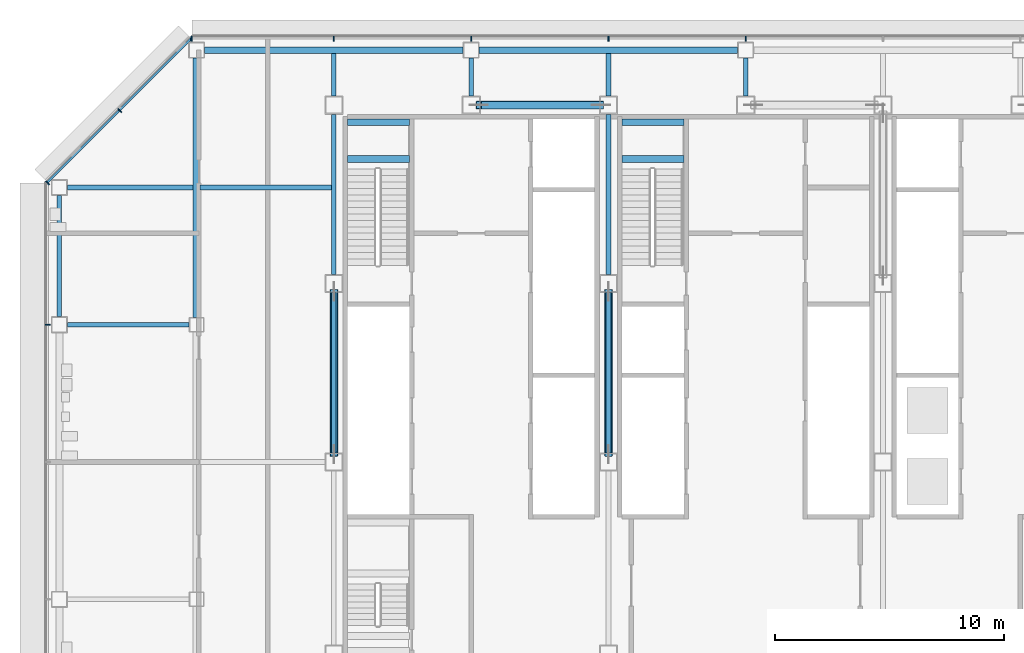
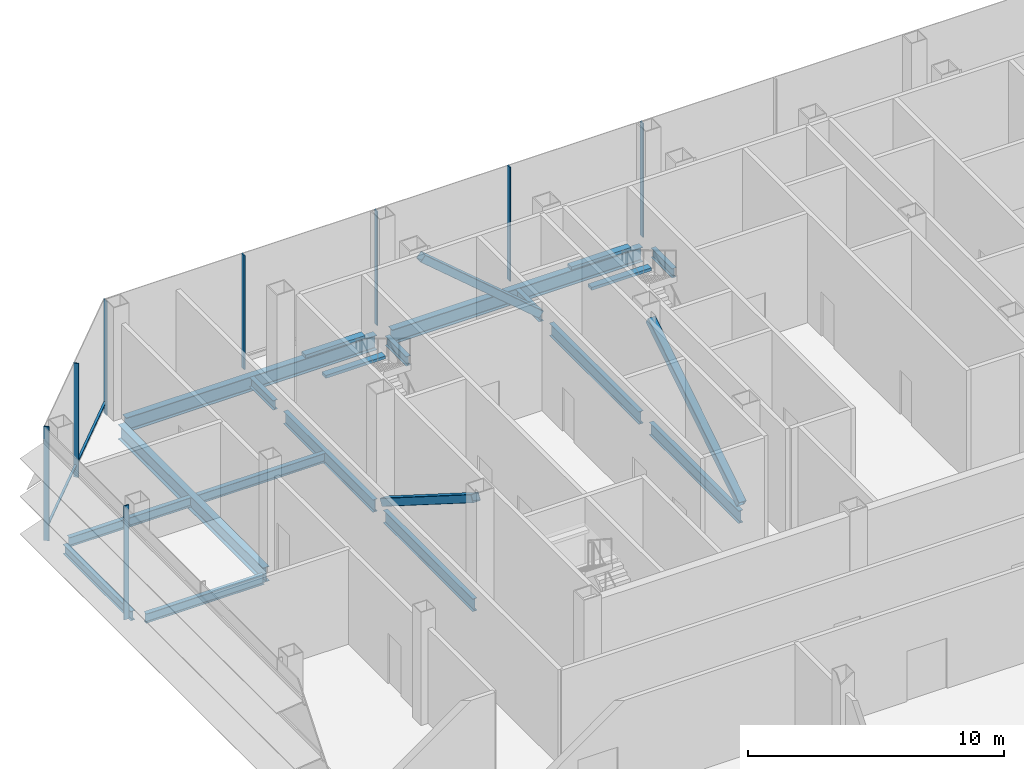
# One storey, part 9 of 24: 19 beams, 12 members, 3 elements without a shape of their own.
"""IFC4 building model written with IfcOpenShell, lengths in metres."""

from ifc_helpers import new_model, si_unit, direction, frame, origin, origin_2d, place, context, subcontext, project, spatial, rectangle, hollow_rectangle, i_section, extrude, material, material_profile, profile_set, type_object, element, aggregate, save


model = new_model("IFC4")

# Units and contexts
model_context = context("Model", 3, precision=1e-05, world=origin(), true_north=direction((0.0, 1.0)))
body_context = subcontext(model_context, "Body", "Model", "MODEL_VIEW")
ifc_project = project(units=[si_unit("LENGTHUNIT", "METRE"), si_unit("AREAUNIT", "SQUARE_METRE"), si_unit("VOLUMEUNIT", "CUBIC_METRE"), si_unit("PLANEANGLEUNIT", "RADIAN"), si_unit("MASSUNIT", "GRAM", prefix="KILO")], contexts=[model_context])

# Site, building, storey
site_placement = place(None, origin())
site = spatial("IfcSite", under=ifc_project, at=site_placement, CompositionType="ELEMENT")
building_placement = place(site_placement, origin())
building = spatial("IfcBuilding", under=site, at=building_placement, Name="Sorahane Residences", CompositionType="ELEMENT")
storey_placement = place(building_placement, frame((0.0, 0.0, 161.800048828125)))
storey = spatial("IfcBuildingStorey", under=building, at=storey_placement, Name="L37", CompositionType="ELEMENT", Elevation=161.800048828125)

# Members
ifc_material_1 = material(Name="Steel Q355B", Category="steel")
ifc_material_profile_1 = material_profile(ifc_material_1, hollow_rectangle(XDim=0.35009765625, YDim=0.35009765625, WallThickness=0.01806640625, InnerFilletRadius=0.009033203125, OuterFilletRadius=0.027099609375, at=origin_2d()), Name="RHS 350x350x18")
ifc_profile_set_1 = profile_set([ifc_material_profile_1], Name="Steel Q355B")
member_type_1 = type_object("IfcMemberType", Name="Core brace RHS 350x350x18 Q355B", PredefinedType="BRACE", material=ifc_profile_set_1)
member_1_placement = place(storey_placement, frame((17.66796875, 45.60009765625, 0.1171875), z_axis=(-0.761932436496, 0.0, 0.647656515612), x_axis=(0.0, -1.0, 0.0)))
element("IfcMember", 1, at=member_1_placement, inside=storey, type_object=member_type_1, Name="Core brace L37 y45.6-2", PredefinedType="BRACE", context=body_context, shape_type="SweptSolid", body=[
    extrude(hollow_rectangle(XDim=0.35009765625, YDim=0.35009765625, WallThickness=0.01806640625, InnerFilletRadius=0.009033203125, OuterFilletRadius=0.027099609375, at=origin_2d()), origin(), (0.0, 0.0, 1.0), 7.003173828125),
])
for number, where, z_axis, x_axis, name in (
    (2, (6.0, 37.4560546875, 0.1396484375), (0.0, -0.845548213739, 0.533899071213), (1.0, 0.0, 0.0), "Core brace L37 x6-2"),
    (3, (18.0, 30.343994140625, 0.1396484375), (0.0, 0.845548213739, 0.533899071213), (-1.0, 0.0, 0.0), "Core brace L37 x18-1"),
):
    element("IfcMember", number, at=place(storey_placement, frame(where, z_axis=z_axis, x_axis=x_axis)), inside=storey, type_object=member_type_1, Name=name, PredefinedType="BRACE", context=body_context, shape_type="SweptSolid", body=[
        extrude(hollow_rectangle(XDim=0.35009765625, YDim=0.35009765625, WallThickness=0.01806640625, InnerFilletRadius=0.009033203125, OuterFilletRadius=0.027099609375, at=origin_2d()), origin(), (0.0, 0.0, 1.0), 8.4111328125),
    ])

# Curtain wall, members
ifc_material_2 = material(Name="Dark low-e glass and black anodised aluminium", Category="aluminium")
curtain_wall_type = type_object("IfcCurtainWallType", Name="Curtain wall CW-4 Sky floor frameless wall", PredefinedType="NOTDEFINED", material=ifc_material_2)
curtain_wall_1_placement = place(storey_placement, origin())
curtain_wall_1 = element("IfcCurtainWall", 4, at=curtain_wall_1_placement, inside=storey, type_object=curtain_wall_type, Name="CW-4 curtain wall L37 N1", PredefinedType="NOTDEFINED")
ifc_material_3 = material(Name="Black anodised aluminium", Category="aluminium")
ifc_material_profile_2 = material_profile(ifc_material_3, rectangle(XDim=0.219970703125, YDim=0.050048828125, at=origin_2d()), Name="Curtain wall mullion CW-4 black anodised aluminium 50x220")
ifc_profile_set_2 = profile_set([ifc_material_profile_2], Name="Black anodised aluminium")
member_type_2 = type_object("IfcMemberType", Name="Curtain wall mullion CW-4 black anodised aluminium 50x220", PredefinedType="MULLION", material=ifc_profile_set_2)
member_2_placement = place(storey_placement, frame((24.0, 48.510009765625, -0.219970703125), z_axis=(0.0, 0.0, 1.0), x_axis=(0.0, 1.0, 0.0)))
member_2 = element("IfcMember", 5, at=member_2_placement, type_object=member_type_2, Name="CW-4 mullion L37 N1.6", PredefinedType="MULLION", context=body_context, shape_type="SweptSolid", body=[
    extrude(rectangle(XDim=0.219970703125, YDim=0.050048828125, at=origin_2d()), origin(), (0.0, 0.0, 1.0), 5.43994140625),
])
member_3_placement = place(storey_placement, frame((18.0, 48.510009765625, -0.219970703125), z_axis=(0.0, 0.0, 1.0), x_axis=(0.0, 1.0, 0.0)))
member_3 = element("IfcMember", 6, at=member_3_placement, type_object=member_type_2, Name="CW-4 mullion L37 N1.7", PredefinedType="MULLION", context=body_context, shape_type="SweptSolid", body=[
    extrude(rectangle(XDim=0.219970703125, YDim=0.050048828125, at=origin_2d()), origin(), (0.0, 0.0, 1.0), 5.43994140625),
])
member_4_placement = place(storey_placement, frame((12.0, 48.510009765625, -0.219970703125), z_axis=(0.0, 0.0, 1.0), x_axis=(0.0, 1.0, 0.0)))
member_4 = element("IfcMember", 7, at=member_4_placement, type_object=member_type_2, Name="CW-4 mullion L37 N1.8", PredefinedType="MULLION", context=body_context, shape_type="SweptSolid", body=[
    extrude(rectangle(XDim=0.219970703125, YDim=0.050048828125, at=origin_2d()), origin(), (0.0, 0.0, 1.0), 5.43994140625),
])
member_5_placement = place(storey_placement, frame((6.0, 48.510009765625, -0.219970703125), z_axis=(0.0, 0.0, 1.0), x_axis=(0.0, 1.0, 0.0)))
member_5 = element("IfcMember", 8, at=member_5_placement, type_object=member_type_2, Name="CW-4 mullion L37 N1.9", PredefinedType="MULLION", context=body_context, shape_type="SweptSolid", body=[
    extrude(rectangle(XDim=0.219970703125, YDim=0.050048828125, at=origin_2d()), origin(), (0.0, 0.0, 1.0), 5.43994140625),
])
member_6_placement = place(storey_placement, frame((-0.2236328125, 48.510009765625, -0.219970703125), z_axis=(0.0, 0.0, 1.0), x_axis=(0.0, 1.0, 0.0)))
member_6 = element("IfcMember", 9, at=member_6_placement, type_object=member_type_2, Name="CW-4 mullion L37 N1.10", PredefinedType="MULLION", context=body_context, shape_type="SweptSolid", body=[
    extrude(rectangle(XDim=0.219970703125, YDim=0.050048828125, at=origin_2d()), origin(), (0.0, 0.0, 1.0), 5.43994140625),
])
aggregate(curtain_wall_1, [member_2, member_3, member_4, member_5, member_6])

curtain_wall_2_placement = place(storey_placement, origin())
curtain_wall_2 = element("IfcCurtainWall", 10, at=curtain_wall_2_placement, inside=storey, type_object=curtain_wall_type, Name="CW-4 curtain wall L37 NW1", PredefinedType="NOTDEFINED")
member_7_placement = place(storey_placement, frame((-3.360595703125, 45.360595703125, -0.219970703125), z_axis=(0.0, 0.0, 1.0), x_axis=(-0.707106781187, 0.707106781187, 0.0)))
member_7 = element("IfcMember", 11, at=member_7_placement, type_object=member_type_2, Name="CW-4 mullion L37 NW1.2", PredefinedType="MULLION", context=body_context, shape_type="SweptSolid", body=[
    extrude(rectangle(XDim=0.219970703125, YDim=0.050048828125, at=origin_2d()), origin(), (0.0, 0.0, 1.0), 5.43994140625),
])
member_8_placement = place(storey_placement, frame((-6.518798828125, 42.20263671875, -0.219970703125), z_axis=(0.0, 0.0, 1.0), x_axis=(-0.707106781187, 0.707106781187, 0.0)))
member_8 = element("IfcMember", 12, at=member_8_placement, type_object=member_type_2, Name="CW-4 mullion L37 NW1.3", PredefinedType="MULLION", context=body_context, shape_type="SweptSolid", body=[
    extrude(rectangle(XDim=0.219970703125, YDim=0.050048828125, at=origin_2d()), origin(), (0.0, 0.0, 1.0), 5.43994140625),
])

# Curtain wall, member
curtain_wall_3_placement = place(storey_placement, origin())
curtain_wall_3 = element("IfcCurtainWall", 13, at=curtain_wall_3_placement, inside=storey, type_object=curtain_wall_type, Name="CW-4 curtain wall L37 W1", PredefinedType="NOTDEFINED")
member_9_placement = place(storey_placement, frame((-6.510009765625, 36.0, -0.219970703125), z_axis=(0.0, 0.0, 1.0), x_axis=(-1.0, 0.0, 0.0)))
member_9 = element("IfcMember", 14, at=member_9_placement, type_object=member_type_2, Name="CW-4 mullion L37 W1.2", PredefinedType="MULLION", context=body_context, shape_type="SweptSolid", body=[
    extrude(rectangle(XDim=0.219970703125, YDim=0.050048828125, at=origin_2d()), origin(), (0.0, 0.0, 1.0), 5.43994140625),
])
aggregate(curtain_wall_3, [member_9])

# Member
ifc_material_4 = material(Name="Black anodised aluminium", Category="aluminium")
ifc_material_profile_3 = material_profile(ifc_material_4, rectangle(XDim=0.10009765625, YDim=0.06005859375, at=origin_2d()), Name="Curtain wall transom CW-4 black anodised aluminium 60x100")
ifc_profile_set_3 = profile_set([ifc_material_profile_3], Name="Black anodised aluminium")
member_type_3 = type_object("IfcMemberType", Name="Curtain wall transom CW-4 black anodised aluminium 60x100", PredefinedType="USERDEFINED", material=ifc_profile_set_3)
member_10_placement = place(storey_placement, frame((-0.234375, 48.51513671875, 0.349853515625), z_axis=(-0.707106781187, -0.707106781187, 0.0), x_axis=(0.707106781187, -0.707106781187, 0.0)))
member_10 = element("IfcMember", 15, at=member_10_placement, type_object=member_type_3, Name="CW-4 transom L37 NW1", ObjectType="TRANSOM", PredefinedType="USERDEFINED", context=body_context, shape_type="SweptSolid", body=[
    extrude(rectangle(XDim=0.10009765625, YDim=0.06005859375, at=origin_2d()), origin(), (0.0, 0.0, 1.0), 8.88232421875),
])

aggregate(curtain_wall_2, [member_7, member_8, member_10])

# Beams
ifc_material_5 = material(Name="Concrete C40", Category="concrete")
ifc_material_profile_4 = material_profile(ifc_material_5, rectangle(XDim=0.300048828125, YDim=0.139892578125, at=origin_2d()), Name="300x140")
ifc_profile_set_4 = profile_set([ifc_material_profile_4], Name="Concrete C40")
beam_type_1 = type_object("IfcBeamType", Name="RC landing beam 300 x 140 Concrete C40", PredefinedType="BEAM", material=ifc_profile_set_4)
for number, where, z_axis, x_axis, name in (
    (16, (6.60009765625, 43.25, 2.429931640625), (1.0, 0.0, 0.0), (0.0, 1.0, 0.0), "Landing beam"),
    (17, (6.60009765625, 44.85009765625, 2.429931640625), (1.0, 0.0, 0.0), (0.0, 1.0, 0.0), "Landing beam"),
    (18, (18.60009765625, 43.25, 2.429931640625), (1.0, 0.0, 0.0), (0.0, 1.0, 0.0), "Landing beam"),
    (19, (18.60009765625, 44.85009765625, 2.429931640625), (1.0, 0.0, 0.0), (0.0, 1.0, 0.0), "Landing beam"),
):
    element("IfcBeam", number, at=place(storey_placement, frame(where, z_axis=z_axis, x_axis=x_axis)), inside=storey, type_object=beam_type_1, Name=name, PredefinedType="BEAM", context=body_context, shape_type="SweptSolid", body=[
        extrude(rectangle(XDim=0.300048828125, YDim=0.139892578125, at=origin_2d()), origin(), (0.0, 0.0, 1.0), 2.699951171875),
    ])
ifc_material_6 = material(Name="Steel Q355B", Category="steel")
ifc_material_profile_5 = material_profile(ifc_material_6, i_section(OverallWidth=0.199951171875, OverallDepth=0.449951171875, WebThickness=0.009033203125, FlangeThickness=0.013916015625, FilletRadius=0.02001953125, at=origin_2d()), Name="HN 450x200x9x14")
ifc_profile_set_5 = profile_set([ifc_material_profile_5], Name="Steel Q355B")
beam_type_2 = type_object("IfcBeamType", Name="Steel floor beam HN 450x200x9x14 Q355B", PredefinedType="BEAM", material=ifc_profile_set_5)
beam_1_placement = place(storey_placement, frame((-5.64990234375, 36.0, -0.445068359375), z_axis=(1.0, 0.0, 0.0), x_axis=(0.0, 1.0, 0.0)))
element("IfcBeam", 20, at=beam_1_placement, inside=storey, type_object=beam_type_2, Name="Beam L37 013", PredefinedType="BEAM", context=body_context, shape_type="SweptSolid", body=[
    extrude(i_section(OverallWidth=0.199951171875, OverallDepth=0.449951171875, WebThickness=0.009033203125, FlangeThickness=0.013916015625, FilletRadius=0.02001953125, at=origin_2d()), origin(), (0.0, 0.0, 1.0), 5.324951171875),
])
beam_2_placement = place(storey_placement, frame((-6.0, 36.35009765625, -0.445068359375), z_axis=(0.0, 1.0, 0.0), x_axis=(-1.0, 0.0, 0.0)))
element("IfcBeam", 21, at=beam_2_placement, inside=storey, type_object=beam_type_2, Name="Beam L37 023", PredefinedType="BEAM", context=body_context, shape_type="SweptSolid", body=[
    extrude(i_section(OverallWidth=0.199951171875, OverallDepth=0.449951171875, WebThickness=0.009033203125, FlangeThickness=0.013916015625, FilletRadius=0.02001953125, at=origin_2d()), origin(), (0.0, 0.0, 1.0), 5.2998046875),
])
beam_3_placement = place(storey_placement, frame((6.0, 46.0, -0.445068359375), z_axis=(0.0, 1.0, 0.0), x_axis=(-1.0, 0.0, 0.0)))
element("IfcBeam", 22, at=beam_3_placement, inside=storey, type_object=beam_type_2, Name="Beam L37 033", PredefinedType="BEAM", context=body_context, shape_type="SweptSolid", body=[
    extrude(i_section(OverallWidth=0.199951171875, OverallDepth=0.449951171875, WebThickness=0.009033203125, FlangeThickness=0.013916015625, FilletRadius=0.02001953125, at=origin_2d()), origin(), (0.0, 0.0, 1.0), 1.85009765625),
])
beam_4_placement = place(storey_placement, frame((12.0, 46.0, -0.445068359375), z_axis=(0.0, 1.0, 0.0), x_axis=(-1.0, 0.0, 0.0)))
element("IfcBeam", 23, at=beam_4_placement, inside=storey, type_object=beam_type_2, Name="Beam L37 035", PredefinedType="BEAM", context=body_context, shape_type="SweptSolid", body=[
    extrude(i_section(OverallWidth=0.199951171875, OverallDepth=0.449951171875, WebThickness=0.009033203125, FlangeThickness=0.013916015625, FilletRadius=0.02001953125, at=origin_2d()), origin(), (0.0, 0.0, 1.0), 1.64990234375),
])
beam_5_placement = place(storey_placement, frame((18.0, 46.0, -0.445068359375), z_axis=(0.0, 1.0, 0.0), x_axis=(-1.0, 0.0, 0.0)))
element("IfcBeam", 24, at=beam_5_placement, inside=storey, type_object=beam_type_2, Name="Beam L37 041", PredefinedType="BEAM", context=body_context, shape_type="SweptSolid", body=[
    extrude(i_section(OverallWidth=0.199951171875, OverallDepth=0.449951171875, WebThickness=0.009033203125, FlangeThickness=0.013916015625, FilletRadius=0.02001953125, at=origin_2d()), origin(), (0.0, 0.0, 1.0), 1.85009765625),
])
beam_6_placement = place(storey_placement, frame((24.0, 46.0, -0.445068359375), z_axis=(0.0, 1.0, 0.0), x_axis=(-1.0, 0.0, 0.0)))
element("IfcBeam", 25, at=beam_6_placement, inside=storey, type_object=beam_type_2, Name="Beam L37 043", PredefinedType="BEAM", context=body_context, shape_type="SweptSolid", body=[
    extrude(i_section(OverallWidth=0.199951171875, OverallDepth=0.449951171875, WebThickness=0.009033203125, FlangeThickness=0.013916015625, FilletRadius=0.02001953125, at=origin_2d()), origin(), (0.0, 0.0, 1.0), 1.64990234375),
])
beam_7_placement = place(storey_placement, frame((-5.64990234375, 42.0, -0.445068359375), z_axis=(1.0, 0.0, 0.0), x_axis=(0.0, 1.0, 0.0)))
element("IfcBeam", 26, at=beam_7_placement, inside=storey, type_object=beam_type_2, Name="Beam L37 089", PredefinedType="BEAM", context=body_context, shape_type="SweptSolid", body=[
    extrude(i_section(OverallWidth=0.199951171875, OverallDepth=0.449951171875, WebThickness=0.009033203125, FlangeThickness=0.013916015625, FilletRadius=0.02001953125, at=origin_2d()), origin(), (0.0, 0.0, 1.0), 5.5),
])
beam_8_placement = place(storey_placement, frame((0.14990234375, 42.0, -0.445068359375), z_axis=(1.0, 0.0, 0.0), x_axis=(0.0, 1.0, 0.0)))
element("IfcBeam", 27, at=beam_8_placement, inside=storey, type_object=beam_type_2, Name="Beam L37 090", PredefinedType="BEAM", context=body_context, shape_type="SweptSolid", body=[
    extrude(i_section(OverallWidth=0.199951171875, OverallDepth=0.449951171875, WebThickness=0.009033203125, FlangeThickness=0.013916015625, FilletRadius=0.02001953125, at=origin_2d()), origin(), (0.0, 0.0, 1.0), 5.75),
])
ifc_material_7 = material(Name="Steel Q355B", Category="steel")
ifc_material_profile_6 = material_profile(ifc_material_7, i_section(OverallWidth=0.199951171875, OverallDepth=0.60009765625, WebThickness=0.010986328125, FlangeThickness=0.01708984375, FilletRadius=0.02392578125, at=origin_2d()), Name="HN 600x200x11x17")
ifc_profile_set_6 = profile_set([ifc_material_profile_6], Name="Steel Q355B")
beam_type_3 = type_object("IfcBeamType", Name="Steel floor beam HN 600x200x11x17 Q355B", PredefinedType="BEAM", material=ifc_profile_set_6)
for number, where, z_axis, x_axis, name in (
    (28, (6.0, 30.39990234375, -0.52001953125), (0.0, 1.0, 0.0), (-1.0, 0.0, 0.0), "Beam L37 031"),
    (29, (6.0, 38.199951171875, -0.52001953125), (0.0, 1.0, 0.0), (-1.0, 0.0, 0.0), "Beam L37 032"),
    (30, (18.0, 30.39990234375, -0.52001953125), (0.0, 1.0, 0.0), (-1.0, 0.0, 0.0), "Beam L37 039"),
    (31, (18.0, 38.199951171875, -0.52001953125), (0.0, 1.0, 0.0), (-1.0, 0.0, 0.0), "Beam L37 040"),
):
    element("IfcBeam", number, at=place(storey_placement, frame(where, z_axis=z_axis, x_axis=x_axis)), inside=storey, type_object=beam_type_3, Name=name, PredefinedType="BEAM", context=body_context, shape_type="SweptSolid", body=[
        extrude(i_section(OverallWidth=0.199951171875, OverallDepth=0.60009765625, WebThickness=0.010986328125, FlangeThickness=0.01708984375, FilletRadius=0.02392578125, at=origin_2d()), origin(), (0.0, 0.0, 1.0), 7.0),
    ])
ifc_material_8 = material(Name="Steel Q355B", Category="steel")
ifc_material_profile_7 = material_profile(ifc_material_8, i_section(OverallWidth=0.300048828125, OverallDepth=0.699951171875, WebThickness=0.012939453125, FlangeThickness=0.02392578125, FilletRadius=0.028076171875, at=origin_2d()), Name="HN 700x300x13x24")
ifc_profile_set_7 = profile_set([ifc_material_profile_7], Name="Steel Q355B")
beam_type_4 = type_object("IfcBeamType", Name="Steel floor beam HN 700x300x13x24 Q355B", PredefinedType="BEAM", material=ifc_profile_set_7)
for number, where, z_axis, x_axis, name in (
    (32, (0.35009765625, 48.0, -0.570068359375), (1.0, 0.0, 0.0), (0.0, 1.0, 0.0), "Beam L37 015"),
    (33, (12.35009765625, 48.0, -0.570068359375), (1.0, 0.0, 0.0), (0.0, 1.0, 0.0), "Beam L37 016"),
):
    element("IfcBeam", number, at=place(storey_placement, frame(where, z_axis=z_axis, x_axis=x_axis)), inside=storey, type_object=beam_type_4, Name=name, PredefinedType="BEAM", context=body_context, shape_type="SweptSolid", body=[
        extrude(i_section(OverallWidth=0.300048828125, OverallDepth=0.699951171875, WebThickness=0.012939453125, FlangeThickness=0.02392578125, FilletRadius=0.028076171875, at=origin_2d()), origin(), (0.0, 0.0, 1.0), 11.2998046875),
    ])
beam_9_placement = place(storey_placement, frame((0.0, 36.324951171875, -0.570068359375), z_axis=(0.0, 1.0, 0.0), x_axis=(-1.0, 0.0, 0.0)))
element("IfcBeam", 34, at=beam_9_placement, inside=storey, type_object=beam_type_4, Name="Beam L37 027", PredefinedType="BEAM", context=body_context, shape_type="SweptSolid", body=[
    extrude(i_section(OverallWidth=0.300048828125, OverallDepth=0.699951171875, WebThickness=0.012939453125, FlangeThickness=0.02392578125, FilletRadius=0.028076171875, at=origin_2d()), origin(), (0.0, 0.0, 1.0), 11.324951171875),
])

save(model, "model.ifc")
